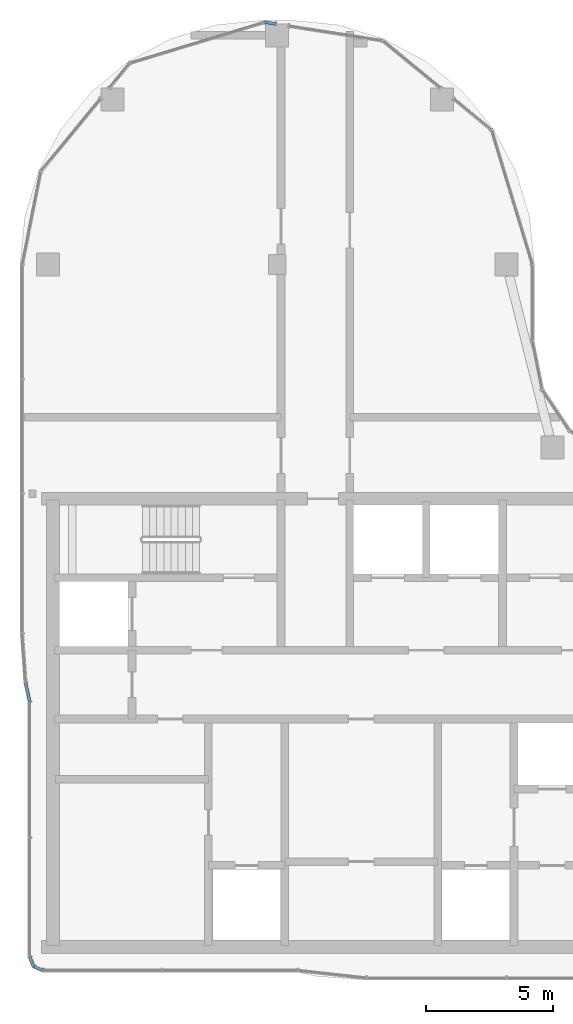
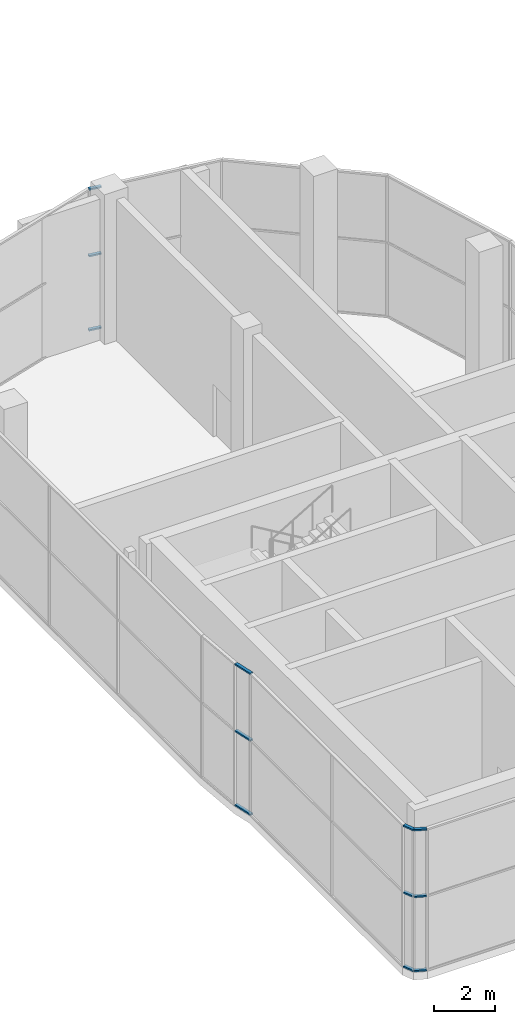
# One storey, part 11 of 21: 12 members, 3 elements without a shape of their own.
"""IFC4 building model written with IfcOpenShell, lengths in metres."""

from ifc_helpers import new_model, si_unit, direction, frame, origin, origin_2d, place, context, subcontext, project, spatial, rectangle, extrude, material, material_profile, profile_set, type_object, element, aggregate, save


model = new_model("IFC4")

# Units and contexts
model_context = context("Model", 3, precision=1e-05, world=origin(), true_north=direction((0.0, 1.0)))
body_context = subcontext(model_context, "Body", "Model", "MODEL_VIEW")
ifc_project = project(units=[si_unit("LENGTHUNIT", "METRE"), si_unit("AREAUNIT", "SQUARE_METRE"), si_unit("VOLUMEUNIT", "CUBIC_METRE"), si_unit("PLANEANGLEUNIT", "RADIAN"), si_unit("MASSUNIT", "GRAM", prefix="KILO")], contexts=[model_context])

# Site, building, storey
site_placement = place(None, origin())
site = spatial("IfcSite", under=ifc_project, at=site_placement, CompositionType="ELEMENT")
building_placement = place(site_placement, origin())
building = spatial("IfcBuilding", under=site, at=building_placement, Name="Ogive Portal Towers", CompositionType="ELEMENT")
storey_placement = place(building_placement, frame((0.0, 0.0, 266.89990234375)))
storey = spatial("IfcBuildingStorey", under=building, at=storey_placement, Name="L65", CompositionType="ELEMENT", Elevation=266.89990234375)

# Curtain wall, members
ifc_material_1 = material(Name="Glass, clear low-iron insulated glazing", Category="glass")
curtain_wall_type = type_object("IfcCurtainWallType", Name="CW OBSERVATION WALL", PredefinedType="NOTDEFINED", material=ifc_material_1)
curtain_wall_1_placement = place(storey_placement, origin())
curtain_wall_1 = element("IfcCurtainWall", 1, at=curtain_wall_1_placement, inside=storey, type_object=curtain_wall_type, Name="A:L65:f01:cwa", PredefinedType="NOTDEFINED")
ifc_material_2 = material(Name="Aluminium 6063 anodised", Category="aluminium")
ifc_material_profile = material_profile(ifc_material_2, rectangle(XDim=0.1201171875, YDim=0.06005859375, at=origin_2d()), Name="AL 120x60")
ifc_profile_set = profile_set([ifc_material_profile], Name="Aluminium 6063 anodised")
member_type = type_object("IfcMemberType", Name="CW TRANSOM 60x120", PredefinedType="USERDEFINED", material=ifc_profile_set)
member_1_placement = place(storey_placement, frame((30.780029296875, 21.31591796875, 0.030029296875), z_axis=(0.382754843841, -0.923849949676, 0.0), x_axis=(0.923849949676, 0.382754843841, 0.0)))
member_1 = element("IfcMember", 2, at=member_1_placement, type_object=member_type, Name="transom", ObjectType="TRANSOM", PredefinedType="USERDEFINED", context=body_context, shape_type="SweptSolid", body=[
    extrude(rectangle(XDim=0.1201171875, YDim=0.06005859375, at=origin_2d()), origin(), (0.0, 0.0, 1.0), 0.41015625),
])
member_2_placement = place(storey_placement, frame((30.780029296875, 21.31591796875, 3.0), z_axis=(0.382754843841, -0.923849949676, 0.0), x_axis=(0.923849949676, 0.382754843841, 0.0)))
member_2 = element("IfcMember", 3, at=member_2_placement, type_object=member_type, Name="transom", ObjectType="TRANSOM", PredefinedType="USERDEFINED", context=body_context, shape_type="SweptSolid", body=[
    extrude(rectangle(XDim=0.1201171875, YDim=0.06005859375, at=origin_2d()), origin(), (0.0, 0.0, 1.0), 0.41015625),
])
member_3_placement = place(storey_placement, frame((30.780029296875, 21.31591796875, 5.670166015625), z_axis=(0.382754843841, -0.923849949676, 0.0), x_axis=(0.923849949676, 0.382754843841, 0.0)))
member_3 = element("IfcMember", 4, at=member_3_placement, type_object=member_type, Name="transom", ObjectType="TRANSOM", PredefinedType="USERDEFINED", context=body_context, shape_type="SweptSolid", body=[
    extrude(rectangle(XDim=0.1201171875, YDim=0.06005859375, at=origin_2d()), origin(), (0.0, 0.0, 1.0), 0.41015625),
])
member_4_placement = place(storey_placement, frame((30.93701171875, 20.93701171875, 0.030029296875), z_axis=(0.923849949676, -0.382754843841, 0.0), x_axis=(0.382754843841, 0.923849949676, 0.0)))
member_4 = element("IfcMember", 5, at=member_4_placement, type_object=member_type, Name="transom", ObjectType="TRANSOM", PredefinedType="USERDEFINED", context=body_context, shape_type="SweptSolid", body=[
    extrude(rectangle(XDim=0.1201171875, YDim=0.06005859375, at=origin_2d()), origin(), (0.0, 0.0, 1.0), 0.41015625),
])
member_5_placement = place(storey_placement, frame((30.93701171875, 20.93701171875, 3.0), z_axis=(0.923849949676, -0.382754843841, 0.0), x_axis=(0.382754843841, 0.923849949676, 0.0)))
member_5 = element("IfcMember", 6, at=member_5_placement, type_object=member_type, Name="transom", ObjectType="TRANSOM", PredefinedType="USERDEFINED", context=body_context, shape_type="SweptSolid", body=[
    extrude(rectangle(XDim=0.1201171875, YDim=0.06005859375, at=origin_2d()), origin(), (0.0, 0.0, 1.0), 0.41015625),
])
member_6_placement = place(storey_placement, frame((30.93701171875, 20.93701171875, 5.670166015625), z_axis=(0.923849949676, -0.382754843841, 0.0), x_axis=(0.382754843841, 0.923849949676, 0.0)))
member_6 = element("IfcMember", 7, at=member_6_placement, type_object=member_type, Name="transom", ObjectType="TRANSOM", PredefinedType="USERDEFINED", context=body_context, shape_type="SweptSolid", body=[
    extrude(rectangle(XDim=0.1201171875, YDim=0.06005859375, at=origin_2d()), origin(), (0.0, 0.0, 1.0), 0.41015625),
])
aggregate(curtain_wall_1, [member_1, member_2, member_3, member_4, member_5, member_6])

curtain_wall_2_placement = place(storey_placement, origin())
curtain_wall_2 = element("IfcCurtainWall", 8, at=curtain_wall_2_placement, inside=storey, type_object=curtain_wall_type, Name="A:L65:f17:cwa~2", PredefinedType="NOTDEFINED")
member_7_placement = place(storey_placement, frame((40.44140625, 57.949951171875, 0.030029296875), z_axis=(-0.988004117719, 0.154427534366, 0.0), x_axis=(-0.154427534366, -0.988004117719, 0.0)))
member_7 = element("IfcMember", 9, at=member_7_placement, type_object=member_type, Name="transom", ObjectType="TRANSOM", PredefinedType="USERDEFINED", context=body_context, shape_type="SweptSolid", body=[
    extrude(rectangle(XDim=0.1201171875, YDim=0.06005859375, at=origin_2d()), origin(), (0.0, 0.0, 1.0), 0.441162109375),
])
member_8_placement = place(storey_placement, frame((40.44140625, 57.949951171875, 3.0), z_axis=(-0.988004117719, 0.154427534366, 0.0), x_axis=(-0.154427534366, -0.988004117719, 0.0)))
member_8 = element("IfcMember", 10, at=member_8_placement, type_object=member_type, Name="transom", ObjectType="TRANSOM", PredefinedType="USERDEFINED", context=body_context, shape_type="SweptSolid", body=[
    extrude(rectangle(XDim=0.1201171875, YDim=0.06005859375, at=origin_2d()), origin(), (0.0, 0.0, 1.0), 0.441162109375),
])
member_9_placement = place(storey_placement, frame((40.44140625, 57.949951171875, 5.670166015625), z_axis=(-0.988004117719, 0.154427534366, 0.0), x_axis=(-0.154427534366, -0.988004117719, 0.0)))
member_9 = element("IfcMember", 11, at=member_9_placement, type_object=member_type, Name="transom", ObjectType="TRANSOM", PredefinedType="USERDEFINED", context=body_context, shape_type="SweptSolid", body=[
    extrude(rectangle(XDim=0.1201171875, YDim=0.06005859375, at=origin_2d()), origin(), (0.0, 0.0, 1.0), 0.441162109375),
])
aggregate(curtain_wall_2, [member_7, member_8, member_9])

curtain_wall_3_placement = place(storey_placement, origin())
curtain_wall_3 = element("IfcCurtainWall", 12, at=curtain_wall_3_placement, inside=storey, type_object=curtain_wall_type, Name="A:L65:f24:cwa", PredefinedType="NOTDEFINED")
member_10_placement = place(storey_placement, frame((30.617919921875, 32.075927734375, 0.030029296875), z_axis=(0.212456211675, -0.977170588035, 0.0), x_axis=(0.977170588035, 0.212456211675, 0.0)))
member_10 = element("IfcMember", 13, at=member_10_placement, type_object=member_type, Name="transom", ObjectType="TRANSOM", PredefinedType="USERDEFINED", context=body_context, shape_type="SweptSolid", body=[
    extrude(rectangle(XDim=0.1201171875, YDim=0.06005859375, at=origin_2d()), origin(), (0.0, 0.0, 1.0), 0.762939453125),
])
member_11_placement = place(storey_placement, frame((30.617919921875, 32.075927734375, 3.0), z_axis=(0.212456211675, -0.977170588035, 0.0), x_axis=(0.977170588035, 0.212456211675, 0.0)))
member_11 = element("IfcMember", 14, at=member_11_placement, type_object=member_type, Name="transom", ObjectType="TRANSOM", PredefinedType="USERDEFINED", context=body_context, shape_type="SweptSolid", body=[
    extrude(rectangle(XDim=0.1201171875, YDim=0.06005859375, at=origin_2d()), origin(), (0.0, 0.0, 1.0), 0.762939453125),
])
member_12_placement = place(storey_placement, frame((30.617919921875, 32.075927734375, 5.670166015625), z_axis=(0.212456211675, -0.977170588035, 0.0), x_axis=(0.977170588035, 0.212456211675, 0.0)))
member_12 = element("IfcMember", 15, at=member_12_placement, type_object=member_type, Name="transom", ObjectType="TRANSOM", PredefinedType="USERDEFINED", context=body_context, shape_type="SweptSolid", body=[
    extrude(rectangle(XDim=0.1201171875, YDim=0.06005859375, at=origin_2d()), origin(), (0.0, 0.0, 1.0), 0.762939453125),
])
aggregate(curtain_wall_3, [member_10, member_11, member_12])

save(model, "model.ifc")
